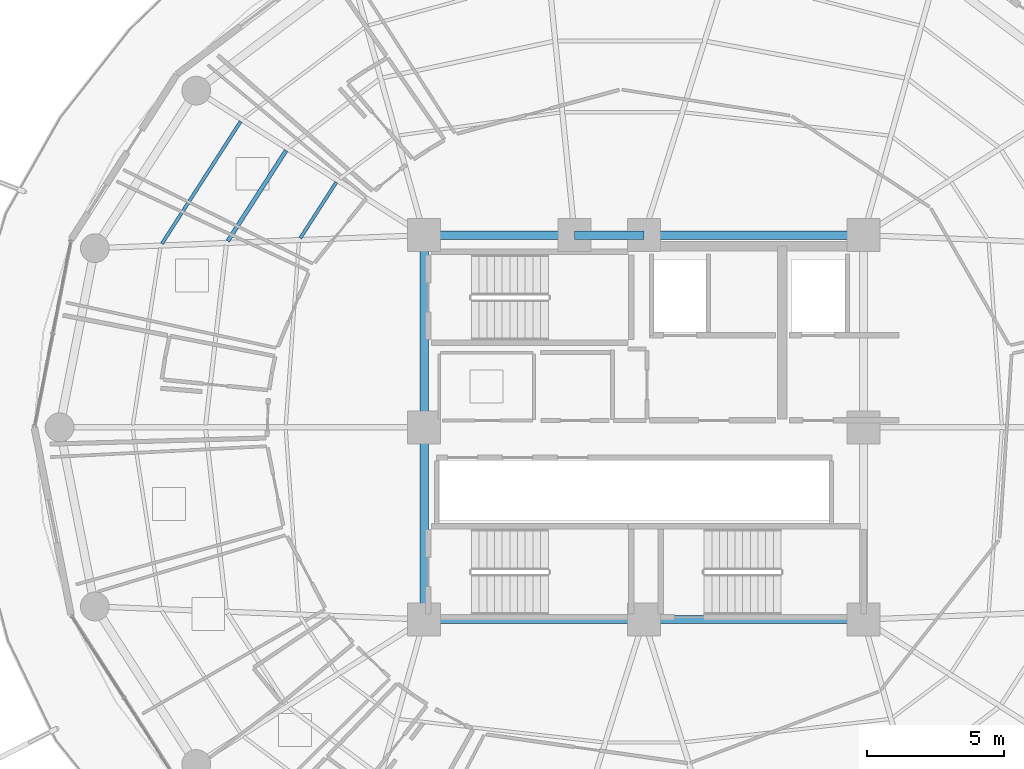
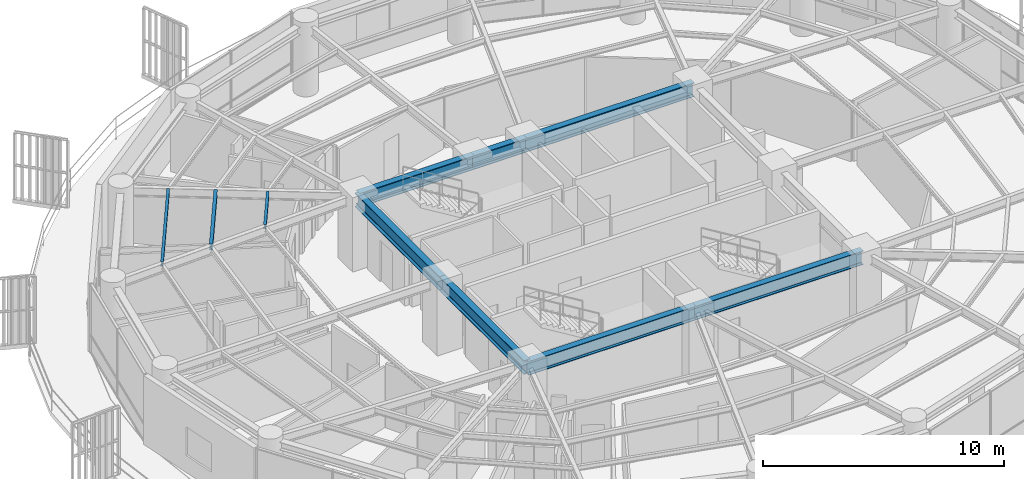
# One storey, part 9 of 31: 10 beams.
"""IFC4 building model written with IfcOpenShell, lengths in metres."""

from ifc_helpers import new_model, si_unit, direction, frame, origin, origin_2d, place, context, subcontext, project, spatial, i_section, extrude, material, material_profile, profile_set, type_object, element, save


model = new_model("IFC4")

# Units and contexts
model_context = context("Model", 3, precision=1e-05, world=origin(), true_north=direction((0.0, 1.0)))
body_context = subcontext(model_context, "Body", "Model", "MODEL_VIEW")
ifc_project = project(units=[si_unit("LENGTHUNIT", "METRE"), si_unit("AREAUNIT", "SQUARE_METRE"), si_unit("VOLUMEUNIT", "CUBIC_METRE"), si_unit("PLANEANGLEUNIT", "RADIAN"), si_unit("MASSUNIT", "GRAM", prefix="KILO")], contexts=[model_context])

# Site, building, storey
site_placement = place(None, origin())
site = spatial("IfcSite", under=ifc_project, at=site_placement, CompositionType="ELEMENT")
building_placement = place(site_placement, origin())
building = spatial("IfcBuilding", under=site, at=building_placement, Name="Kelanora Arch Commons", CompositionType="ELEMENT")
storey_placement = place(building_placement, frame((0.0, 0.0, 196.949951171875)))
storey = spatial("IfcBuildingStorey", under=building, at=storey_placement, Name="L50", CompositionType="ELEMENT", Elevation=196.949951171875)

# Beams
ifc_material = material(Name="Steel S355", Category="steel")
ifc_material_profile_1 = material_profile(ifc_material, i_section(OverallWidth=0.300048828125, OverallDepth=0.699951171875, WebThickness=0.01708984375, FlangeThickness=0.031982421875, FilletRadius=0.027099609375, at=origin_2d()), Name="HEB700")
ifc_profile_set_1 = profile_set([ifc_material_profile_1], Name="Steel S355")
beam_type_1 = type_object("IfcBeamType", Name="BM-CORE-HDR", PredefinedType="BEAM", material=ifc_profile_set_1)
for number, where, z_axis, x_axis, name in (
    (1, (66.0, 51.0, 3.14013671875), (1.0, 0.0, 0.0), (0.0, 1.0, 0.0), "Core Header Beam 01 L50"),
    (2, (74.0, 51.0, 3.14013671875), (1.0, 0.0, 0.0), (0.0, 1.0, 0.0), "Core Header Beam 02 L50"),
    (3, (82.0, 65.0, 3.14013671875), (-1.0, 0.0, 0.0), (0.0, -1.0, 0.0), "Core Header Beam 05 L50"),
):
    element("IfcBeam", number, at=place(storey_placement, frame(where, z_axis=z_axis, x_axis=x_axis)), inside=storey, type_object=beam_type_1, Name=name, PredefinedType="BEAM", context=body_context, shape_type="SweptSolid", body=[
        extrude(i_section(OverallWidth=0.300048828125, OverallDepth=0.699951171875, WebThickness=0.01708984375, FlangeThickness=0.031982421875, FilletRadius=0.027099609375, at=origin_2d()), origin(), (0.0, 0.0, 1.0), 8.0),
    ])
beam_1_placement = place(storey_placement, frame((74.0, 65.0, 3.14013671875), z_axis=(-1.0, 0.0, 0.0), x_axis=(0.0, -1.0, 0.0)))
element("IfcBeam", 4, at=beam_1_placement, inside=storey, type_object=beam_type_1, Name="Core Header Beam 06 L50", PredefinedType="BEAM", context=body_context, shape_type="SweptSolid", body=[
    extrude(i_section(OverallWidth=0.300048828125, OverallDepth=0.699951171875, WebThickness=0.01708984375, FlangeThickness=0.031982421875, FilletRadius=0.027099609375, at=origin_2d()), origin(), (0.0, 0.0, 1.0), 2.52001953125),
])
beam_2_placement = place(storey_placement, frame((71.47998046875, 65.0, 3.14013671875), z_axis=(-1.0, 0.0, 0.0), x_axis=(0.0, -1.0, 0.0)))
element("IfcBeam", 5, at=beam_2_placement, inside=storey, type_object=beam_type_1, Name="Core Header Beam 07 L50", PredefinedType="BEAM", context=body_context, shape_type="SweptSolid", body=[
    extrude(i_section(OverallWidth=0.300048828125, OverallDepth=0.699951171875, WebThickness=0.01708984375, FlangeThickness=0.031982421875, FilletRadius=0.027099609375, at=origin_2d()), origin(), (0.0, 0.0, 1.0), 5.47998046875),
])
for number, where, z_axis, x_axis, name in (
    (6, (66.0, 65.0, 3.14013671875), (0.0, -1.0, 0.0), (1.0, 0.0, 0.0), "Core Header Beam 08 L50"),
    (7, (66.0, 58.0, 3.14013671875), (0.0, -1.0, 0.0), (1.0, 0.0, 0.0), "Core Header Beam 09 L50"),
):
    element("IfcBeam", number, at=place(storey_placement, frame(where, z_axis=z_axis, x_axis=x_axis)), inside=storey, type_object=beam_type_1, Name=name, PredefinedType="BEAM", context=body_context, shape_type="SweptSolid", body=[
        extrude(i_section(OverallWidth=0.300048828125, OverallDepth=0.699951171875, WebThickness=0.01708984375, FlangeThickness=0.031982421875, FilletRadius=0.027099609375, at=origin_2d()), origin(), (0.0, 0.0, 1.0), 7.0),
    ])
ifc_material_profile_2 = material_profile(ifc_material, i_section(OverallWidth=0.14990234375, OverallDepth=0.300048828125, WebThickness=0.007080078125, FlangeThickness=0.0107421875, FilletRadius=0.014892578125, at=origin_2d()), Name="IPE300")
ifc_profile_set_2 = profile_set([ifc_material_profile_2], Name="Steel S355")
beam_type_2 = type_object("IfcBeamType", Name="BM-JST-01", PredefinedType="JOIST", material=ifc_profile_set_2)
beam_3_placement = place(storey_placement, frame((60.97314453125, 68.087158203125, 3.340087890625), z_axis=(-0.541411265892, -0.840757896879, 0.0), x_axis=(0.840757896879, -0.541411265892, 0.0)))
element("IfcBeam", 8, at=beam_3_placement, inside=storey, type_object=beam_type_2, Name="Secondary Chord Joist BJB-14 L50", PredefinedType="JOIST", context=body_context, shape_type="SweptSolid", body=[
    extrude(i_section(OverallWidth=0.14990234375, OverallDepth=0.300048828125, WebThickness=0.007080078125, FlangeThickness=0.0107421875, FilletRadius=0.014892578125, at=origin_2d()), origin(), (0.0, 0.0, 1.0), 3.92529296875),
])
ifc_material_profile_3 = material_profile(ifc_material, i_section(OverallWidth=0.1201171875, OverallDepth=0.239990234375, WebThickness=0.006103515625, FlangeThickness=0.009765625, FilletRadius=0.014892578125, at=origin_2d()), Name="IPE240")
ifc_profile_set_3 = profile_set([ifc_material_profile_3], Name="Steel S355")
beam_type_3 = type_object("IfcBeamType", Name="BM-JST-02", PredefinedType="JOIST", material=ifc_profile_set_3)
beam_4_placement = place(storey_placement, frame((62.79931640625, 66.928955078125, 3.3701171875), z_axis=(-0.541332763503, -0.840808443796, 0.0), x_axis=(0.840808443796, -0.541332763503, 0.0)))
element("IfcBeam", 9, at=beam_4_placement, inside=storey, type_object=beam_type_3, Name="Secondary Chord Joist BJA-14 L50", PredefinedType="JOIST", context=body_context, shape_type="SweptSolid", body=[
    extrude(i_section(OverallWidth=0.1201171875, OverallDepth=0.239990234375, WebThickness=0.006103515625, FlangeThickness=0.009765625, FilletRadius=0.014892578125, at=origin_2d()), origin(), (0.0, 0.0, 1.0), 2.423583984375),
])
beam_5_placement = place(storey_placement, frame((59.31298828125, 69.14013671875, 3.3701171875), z_axis=(-0.541382492679, -0.840776424872, 0.0), x_axis=(0.840776424872, -0.541382492679, 0.0)))
element("IfcBeam", 10, at=beam_5_placement, inside=storey, type_object=beam_type_3, Name="Secondary Chord Joist BJC-14 L50", PredefinedType="JOIST", context=body_context, shape_type="SweptSolid", body=[
    extrude(i_section(OverallWidth=0.1201171875, OverallDepth=0.239990234375, WebThickness=0.006103515625, FlangeThickness=0.009765625, FilletRadius=0.014892578125, at=origin_2d()), origin(), (0.0, 0.0, 1.0), 5.29052734375),
])

save(model, "model.ifc")
